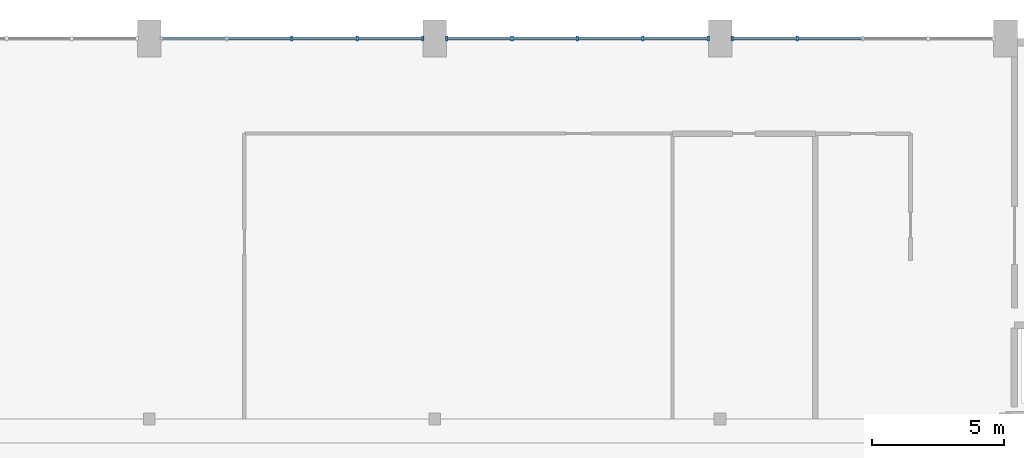
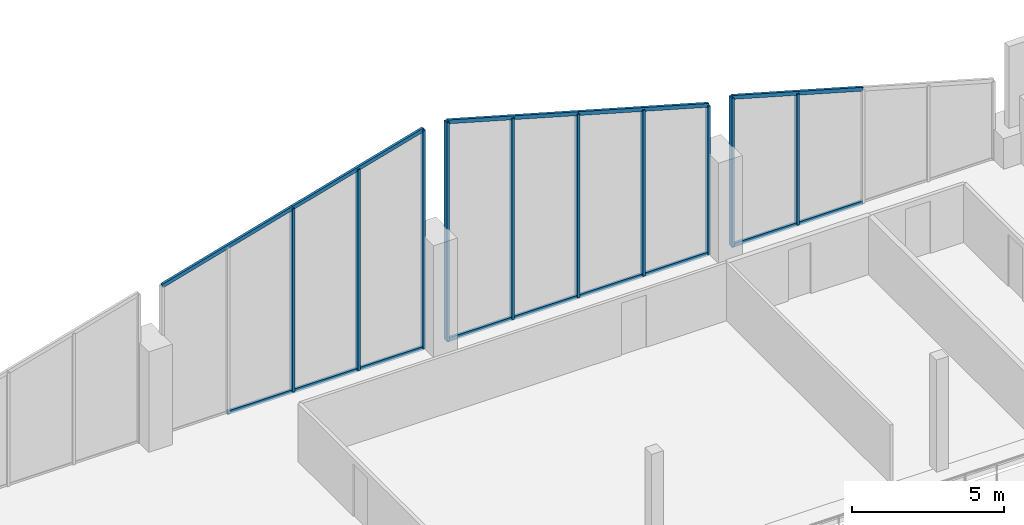
# One storey, part 30 of 89: 24 members, 3 elements without a shape of their own.
"""IFC4 building model written with IfcOpenShell, lengths in metres."""

from ifc_helpers import new_model, si_unit, direction, frame, origin, origin_2d, place, context, subcontext, project, spatial, rectangle, extrude, material, material_profile, profile_set, type_object, element, aggregate, save


model = new_model("IFC4")

# Units and contexts
model_context = context("Model", 3, precision=1e-05, world=origin(), true_north=direction((0.0, 1.0)))
body_context = subcontext(model_context, "Body", "Model", "MODEL_VIEW")
ifc_project = project(units=[si_unit("LENGTHUNIT", "METRE"), si_unit("AREAUNIT", "SQUARE_METRE"), si_unit("VOLUMEUNIT", "CUBIC_METRE"), si_unit("PLANEANGLEUNIT", "RADIAN"), si_unit("MASSUNIT", "GRAM", prefix="KILO")], contexts=[model_context])

# Site, building, storey
site_placement = place(None, origin())
site = spatial("IfcSite", under=ifc_project, at=site_placement, CompositionType="ELEMENT")
building_placement = place(site_placement, origin())
building = spatial("IfcBuilding", under=site, at=building_placement, Name="Suirenkawa Promenade Aquatics Centre", CompositionType="ELEMENT")
storey_placement = place(building_placement, frame((0.0, 0.0, 9.60009765625)))
storey = spatial("IfcBuildingStorey", under=building, at=storey_placement, Name="L02", CompositionType="ELEMENT", Elevation=9.60009765625)

# Curtain wall, members
ifc_material = material(Name="Anodised aluminium 6063-T6", Category="aluminium")
curtain_wall_type_1 = type_object("IfcCurtainWallType", Name="CWAT-CLERN-15", PredefinedType="NOTDEFINED", material=ifc_material)
curtain_wall_1_placement = place(storey_placement, origin())
curtain_wall_1 = element("IfcCurtainWall", 1, at=curtain_wall_1_placement, inside=storey, type_object=curtain_wall_type_1, Name="Curtain wall CWA-15 CW-023", PredefinedType="NOTDEFINED")
ifc_material_profile_1 = material_profile(ifc_material, rectangle(XDim=0.094970703125, YDim=0.18994140625, at=origin_2d()), Name="ALU MULL 95x190", Category="aluminium")
ifc_profile_set_1 = profile_set([ifc_material_profile_1], Name="Anodised aluminium 6063-T6")
member_type_1 = type_object("IfcMemberType", Name="CWM-190x95", PredefinedType="MULLION", material=ifc_profile_set_1)
member_1_placement = place(storey_placement, frame((106.199951171875, 122.39990234375, 0.0), z_axis=(0.0, 0.0, 1.0), x_axis=(1.0, 0.0, 0.0)))
member_1 = element("IfcMember", 2, at=member_1_placement, type_object=member_type_1, Name="Mullion ML-02 CWM-00486", PredefinedType="MULLION", context=body_context, shape_type="SweptSolid", body=[
    extrude(rectangle(XDim=0.094970703125, YDim=0.18994140625, at=origin_2d()), origin(), (0.0, 0.0, 1.0), 7.349853515625),
])
member_2_placement = place(storey_placement, frame((108.675537109375, 122.39990234375, 0.0), z_axis=(0.0, 0.0, 1.0), x_axis=(1.0, 0.0, 0.0)))
member_2 = element("IfcMember", 3, at=member_2_placement, type_object=member_type_1, Name="Mullion ML-02 CWM-00487", PredefinedType="MULLION", context=body_context, shape_type="SweptSolid", body=[
    extrude(rectangle(XDim=0.094970703125, YDim=0.18994140625, at=origin_2d()), origin(), (0.0, 0.0, 1.0), 8.0498046875),
])
member_3_placement = place(storey_placement, frame((111.15087890625, 122.39990234375, 0.0), z_axis=(0.0, 0.0, 1.0), x_axis=(1.0, 0.0, 0.0)))
member_3 = element("IfcMember", 4, at=member_3_placement, type_object=member_type_1, Name="Mullion ML-02 CWM-00488", PredefinedType="MULLION", context=body_context, shape_type="SweptSolid", body=[
    extrude(rectangle(XDim=0.094970703125, YDim=0.18994140625, at=origin_2d()), origin(), (0.0, 0.0, 1.0), 8.75),
])

curtain_wall_2_placement = place(storey_placement, origin())
curtain_wall_2 = element("IfcCurtainWall", 5, at=curtain_wall_2_placement, inside=storey, type_object=curtain_wall_type_1, Name="Curtain wall CWA-15 CW-026", PredefinedType="NOTDEFINED")
member_4_placement = place(storey_placement, frame((112.049072265625, 122.39990234375, 0.0), z_axis=(0.0, 0.0, 1.0), x_axis=(1.0, 0.0, 0.0)))
member_4 = element("IfcMember", 6, at=member_4_placement, type_object=member_type_1, Name="Mullion ML-02 CWM-00544", PredefinedType="MULLION", context=body_context, shape_type="SweptSolid", body=[
    extrude(rectangle(XDim=0.094970703125, YDim=0.18994140625, at=origin_2d()), origin(), (0.0, 0.0, 1.0), 8.75),
])
member_5_placement = place(storey_placement, frame((114.5244140625, 122.39990234375, 0.0), z_axis=(0.0, 0.0, 1.0), x_axis=(1.0, 0.0, 0.0)))
member_5 = element("IfcMember", 7, at=member_5_placement, type_object=member_type_1, Name="Mullion ML-02 CWM-00545", PredefinedType="MULLION", context=body_context, shape_type="SweptSolid", body=[
    extrude(rectangle(XDim=0.094970703125, YDim=0.18994140625, at=origin_2d()), origin(), (0.0, 0.0, 1.0), 8.0498046875),
])
member_6_placement = place(storey_placement, frame((117.0, 122.39990234375, 0.0), z_axis=(0.0, 0.0, 1.0), x_axis=(1.0, 0.0, 0.0)))
member_6 = element("IfcMember", 8, at=member_6_placement, type_object=member_type_1, Name="Mullion ML-02 CWM-00546", PredefinedType="MULLION", context=body_context, shape_type="SweptSolid", body=[
    extrude(rectangle(XDim=0.094970703125, YDim=0.18994140625, at=origin_2d()), origin(), (0.0, 0.0, 1.0), 7.349853515625),
])
member_7_placement = place(storey_placement, frame((119.4755859375, 122.39990234375, 0.0), z_axis=(0.0, 0.0, 1.0), x_axis=(1.0, 0.0, 0.0)))
member_7 = element("IfcMember", 9, at=member_7_placement, type_object=member_type_1, Name="Mullion ML-02 CWM-00547", PredefinedType="MULLION", context=body_context, shape_type="SweptSolid", body=[
    extrude(rectangle(XDim=0.094970703125, YDim=0.18994140625, at=origin_2d()), origin(), (0.0, 0.0, 1.0), 6.64990234375),
])
member_8_placement = place(storey_placement, frame((121.950927734375, 122.39990234375, 0.0), z_axis=(0.0, 0.0, 1.0), x_axis=(1.0, 0.0, 0.0)))
member_8 = element("IfcMember", 10, at=member_8_placement, type_object=member_type_1, Name="Mullion ML-02 CWM-00548", PredefinedType="MULLION", context=body_context, shape_type="SweptSolid", body=[
    extrude(rectangle(XDim=0.094970703125, YDim=0.18994140625, at=origin_2d()), origin(), (0.0, 0.0, 1.0), 5.949951171875),
])

curtain_wall_type_2 = type_object("IfcCurtainWallType", Name="CWAT-CLERN-13", PredefinedType="NOTDEFINED", material=ifc_material)
curtain_wall_3_placement = place(storey_placement, origin())
curtain_wall_3 = element("IfcCurtainWall", 11, at=curtain_wall_3_placement, inside=storey, type_object=curtain_wall_type_2, Name="Curtain wall CWA-13 CW-029", PredefinedType="NOTDEFINED")
member_9_placement = place(storey_placement, frame((122.84912109375, 122.39990234375, 0.0), z_axis=(0.0, 0.0, 1.0), x_axis=(1.0, 0.0, 0.0)))
member_9 = element("IfcMember", 12, at=member_9_placement, type_object=member_type_1, Name="Mullion ML-02 CWM-00604", PredefinedType="MULLION", context=body_context, shape_type="SweptSolid", body=[
    extrude(rectangle(XDim=0.094970703125, YDim=0.18994140625, at=origin_2d()), origin(), (0.0, 0.0, 1.0), 5.949951171875),
])
member_10_placement = place(storey_placement, frame((125.324462890625, 122.39990234375, 0.0), z_axis=(0.0, 0.0, 1.0), x_axis=(1.0, 0.0, 0.0)))
member_10 = element("IfcMember", 13, at=member_10_placement, type_object=member_type_1, Name="Mullion ML-02 CWM-00605", PredefinedType="MULLION", context=body_context, shape_type="SweptSolid", body=[
    extrude(rectangle(XDim=0.094970703125, YDim=0.18994140625, at=origin_2d()), origin(), (0.0, 0.0, 1.0), 5.25),
])

# Member
ifc_material_profile_2 = material_profile(ifc_material, rectangle(XDim=0.094970703125, YDim=0.14990234375, at=origin_2d()), Name="ALU TRAN 95x150", Category="aluminium")
ifc_profile_set_2 = profile_set([ifc_material_profile_2], Name="Anodised aluminium 6063-T6")
member_type_2 = type_object("IfcMemberType", Name="CWT-150x95", PredefinedType="USERDEFINED", material=ifc_profile_set_2)
member_11_placement = place(storey_placement, frame((103.724609375, 122.39990234375, 0.0), z_axis=(1.0, 0.0, 0.0), x_axis=(0.0, 1.0, 0.0)))
member_11 = element("IfcMember", 14, at=member_11_placement, type_object=member_type_2, Name="Transom TR-02 CWT-00490", ObjectType="TRANSOM", PredefinedType="USERDEFINED", context=body_context, shape_type="SweptSolid", body=[
    extrude(rectangle(XDim=0.094970703125, YDim=0.14990234375, at=origin_2d()), origin(), (0.0, 0.0, 1.0), 2.475341796875),
])

member_12_placement = place(storey_placement, frame((106.199951171875, 122.39990234375, 0.0), z_axis=(1.0, 0.0, 0.0), x_axis=(0.0, 1.0, 0.0)))
member_12 = element("IfcMember", 15, at=member_12_placement, type_object=member_type_2, Name="Transom TR-02 CWT-00491", ObjectType="TRANSOM", PredefinedType="USERDEFINED", context=body_context, shape_type="SweptSolid", body=[
    extrude(rectangle(XDim=0.094970703125, YDim=0.14990234375, at=origin_2d()), origin(), (0.0, 0.0, 1.0), 2.4755859375),
])

member_13_placement = place(storey_placement, frame((108.675537109375, 122.39990234375, 0.0), z_axis=(1.0, 0.0, 0.0), x_axis=(0.0, 1.0, 0.0)))
member_13 = element("IfcMember", 16, at=member_13_placement, type_object=member_type_2, Name="Transom TR-02 CWT-00492", ObjectType="TRANSOM", PredefinedType="USERDEFINED", context=body_context, shape_type="SweptSolid", body=[
    extrude(rectangle(XDim=0.094970703125, YDim=0.14990234375, at=origin_2d()), origin(), (0.0, 0.0, 1.0), 2.475341796875),
])

member_14_placement = place(storey_placement, frame((101.2490234375, 122.39990234375, 5.949951171875), z_axis=(0.962272408902, 0.0, 0.272087873793), x_axis=(0.0, 1.0, 0.0)))
member_14 = element("IfcMember", 17, at=member_14_placement, type_object=member_type_2, Name="Roofline transom TR-02 CWT-00493", ObjectType="TRANSOM", PredefinedType="USERDEFINED", context=body_context, shape_type="SweptSolid", body=[
    extrude(rectangle(XDim=0.094970703125, YDim=0.14990234375, at=origin_2d()), origin(), (0.0, 0.0, 1.0), 5.14501953125),
])

member_15_placement = place(storey_placement, frame((106.199951171875, 122.39990234375, 7.349853515625), z_axis=(0.962259984138, 0.0, 0.272131811679), x_axis=(0.0, 1.0, 0.0)))
member_15 = element("IfcMember", 18, at=member_15_placement, type_object=member_type_2, Name="Roofline transom TR-02 CWT-00494", ObjectType="TRANSOM", PredefinedType="USERDEFINED", context=body_context, shape_type="SweptSolid", body=[
    extrude(rectangle(XDim=0.094970703125, YDim=0.14990234375, at=origin_2d()), origin(), (0.0, 0.0, 1.0), 5.14501953125),
])

aggregate(curtain_wall_1, [member_1, member_2, member_3, member_11, member_12, member_13, member_14, member_15])

member_16_placement = place(storey_placement, frame((112.049072265625, 122.39990234375, 0.0), z_axis=(1.0, 0.0, 0.0), x_axis=(0.0, 1.0, 0.0)))
member_16 = element("IfcMember", 19, at=member_16_placement, type_object=member_type_2, Name="Transom TR-02 CWT-00549", ObjectType="TRANSOM", PredefinedType="USERDEFINED", context=body_context, shape_type="SweptSolid", body=[
    extrude(rectangle(XDim=0.094970703125, YDim=0.14990234375, at=origin_2d()), origin(), (0.0, 0.0, 1.0), 2.475341796875),
])

member_17_placement = place(storey_placement, frame((114.5244140625, 122.39990234375, 0.0), z_axis=(1.0, 0.0, 0.0), x_axis=(0.0, 1.0, 0.0)))
member_17 = element("IfcMember", 20, at=member_17_placement, type_object=member_type_2, Name="Transom TR-02 CWT-00550", ObjectType="TRANSOM", PredefinedType="USERDEFINED", context=body_context, shape_type="SweptSolid", body=[
    extrude(rectangle(XDim=0.094970703125, YDim=0.14990234375, at=origin_2d()), origin(), (0.0, 0.0, 1.0), 2.4755859375),
])

member_18_placement = place(storey_placement, frame((117.0, 122.39990234375, 0.0), z_axis=(1.0, 0.0, 0.0), x_axis=(0.0, 1.0, 0.0)))
member_18 = element("IfcMember", 21, at=member_18_placement, type_object=member_type_2, Name="Transom TR-02 CWT-00551", ObjectType="TRANSOM", PredefinedType="USERDEFINED", context=body_context, shape_type="SweptSolid", body=[
    extrude(rectangle(XDim=0.094970703125, YDim=0.14990234375, at=origin_2d()), origin(), (0.0, 0.0, 1.0), 2.4755859375),
])

member_19_placement = place(storey_placement, frame((119.4755859375, 122.39990234375, 0.0), z_axis=(1.0, 0.0, 0.0), x_axis=(0.0, 1.0, 0.0)))
member_19 = element("IfcMember", 22, at=member_19_placement, type_object=member_type_2, Name="Transom TR-02 CWT-00552", ObjectType="TRANSOM", PredefinedType="USERDEFINED", context=body_context, shape_type="SweptSolid", body=[
    extrude(rectangle(XDim=0.094970703125, YDim=0.14990234375, at=origin_2d()), origin(), (0.0, 0.0, 1.0), 2.475341796875),
])

member_20_placement = place(storey_placement, frame((112.049072265625, 122.39990234375, 8.75), z_axis=(0.962259984138, 0.0, -0.272131811679), x_axis=(0.0, 1.0, 0.0)))
member_20 = element("IfcMember", 23, at=member_20_placement, type_object=member_type_2, Name="Roofline transom TR-02 CWT-00553", ObjectType="TRANSOM", PredefinedType="USERDEFINED", context=body_context, shape_type="SweptSolid", body=[
    extrude(rectangle(XDim=0.094970703125, YDim=0.14990234375, at=origin_2d()), origin(), (0.0, 0.0, 1.0), 5.14501953125),
])

member_21_placement = place(storey_placement, frame((117.0, 122.39990234375, 7.349853515625), z_axis=(0.962272408902, 0.0, -0.272087873793), x_axis=(0.0, 1.0, 0.0)))
member_21 = element("IfcMember", 24, at=member_21_placement, type_object=member_type_2, Name="Roofline transom TR-02 CWT-00554", ObjectType="TRANSOM", PredefinedType="USERDEFINED", context=body_context, shape_type="SweptSolid", body=[
    extrude(rectangle(XDim=0.094970703125, YDim=0.14990234375, at=origin_2d()), origin(), (0.0, 0.0, 1.0), 5.14501953125),
])

aggregate(curtain_wall_2, [member_4, member_5, member_6, member_7, member_8, member_16, member_17, member_18, member_19, member_20, member_21])

member_22_placement = place(storey_placement, frame((122.84912109375, 122.39990234375, 0.0), z_axis=(1.0, 0.0, 0.0), x_axis=(0.0, 1.0, 0.0)))
member_22 = element("IfcMember", 25, at=member_22_placement, type_object=member_type_2, Name="Transom TR-02 CWT-00609", ObjectType="TRANSOM", PredefinedType="USERDEFINED", context=body_context, shape_type="SweptSolid", body=[
    extrude(rectangle(XDim=0.094970703125, YDim=0.14990234375, at=origin_2d()), origin(), (0.0, 0.0, 1.0), 2.475341796875),
])

member_23_placement = place(storey_placement, frame((125.324462890625, 122.39990234375, 0.0), z_axis=(1.0, 0.0, 0.0), x_axis=(0.0, 1.0, 0.0)))
member_23 = element("IfcMember", 26, at=member_23_placement, type_object=member_type_2, Name="Transom TR-02 CWT-00610", ObjectType="TRANSOM", PredefinedType="USERDEFINED", context=body_context, shape_type="SweptSolid", body=[
    extrude(rectangle(XDim=0.094970703125, YDim=0.14990234375, at=origin_2d()), origin(), (0.0, 0.0, 1.0), 2.4755859375),
])

member_24_placement = place(storey_placement, frame((122.84912109375, 122.39990234375, 5.949951171875), z_axis=(0.962259984138, 0.0, -0.272131811679), x_axis=(0.0, 1.0, 0.0)))
member_24 = element("IfcMember", 27, at=member_24_placement, type_object=member_type_2, Name="Roofline transom TR-02 CWT-00613", ObjectType="TRANSOM", PredefinedType="USERDEFINED", context=body_context, shape_type="SweptSolid", body=[
    extrude(rectangle(XDim=0.094970703125, YDim=0.14990234375, at=origin_2d()), origin(), (0.0, 0.0, 1.0), 5.14501953125),
])

aggregate(curtain_wall_3, [member_9, member_10, member_22, member_23, member_24])

save(model, "model.ifc")
